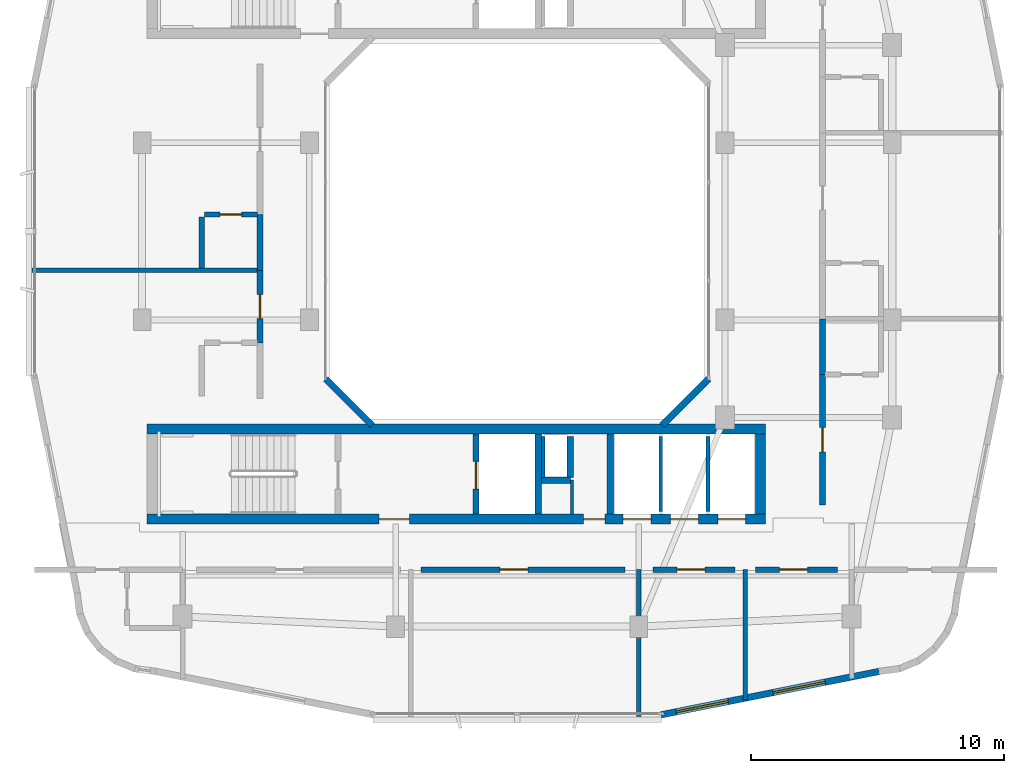
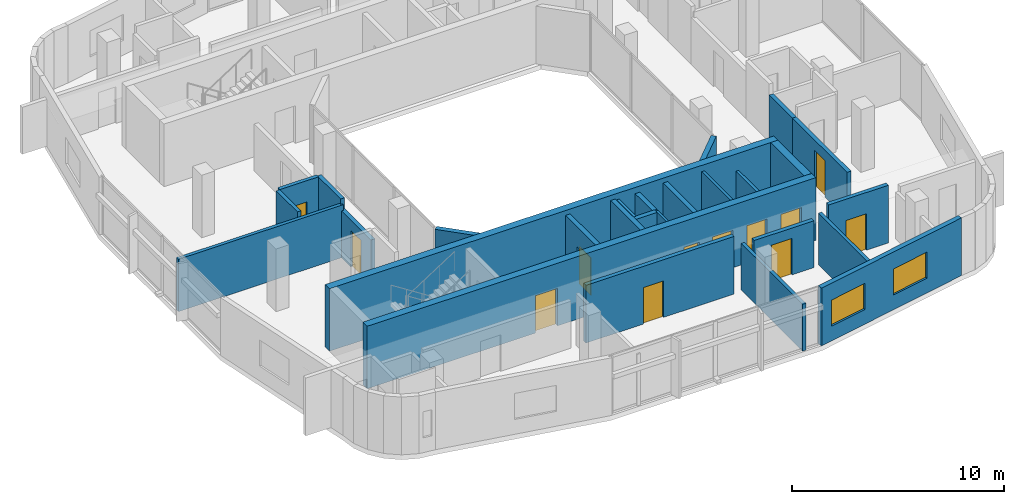
# One storey, part 7 of 14: 27 walls, 12 doors, 2 windows, 14 openings.
"""IFC4 building model written with IfcOpenShell, lengths in metres."""

from ifc_helpers import new_model, si_unit, derived_unit, direction, frame, frame_2d, origin, place, context, subcontext, project, spatial, rectangle, extrude, material, layer, layer_set, type_object, element, fill, save


model = new_model("IFC4")

# Units and contexts
model_context = context("Model", 3, precision=1e-05, world=origin(), true_north=direction((0.0, 1.0)))
body_context = subcontext(model_context, "Body", "Model", "MODEL_VIEW")
ifc_project = project(units=[si_unit("LENGTHUNIT", "METRE"), si_unit("AREAUNIT", "SQUARE_METRE"), si_unit("VOLUMEUNIT", "CUBIC_METRE"), si_unit("PLANEANGLEUNIT", "RADIAN"), si_unit("MASSUNIT", "GRAM", prefix="KILO"), derived_unit("THERMALTRANSMITTANCEUNIT", [(si_unit("POWERUNIT", "WATT"), 1), (si_unit("LENGTHUNIT", "METRE"), -2), (si_unit("THERMODYNAMICTEMPERATUREUNIT", "KELVIN"), -1)])], contexts=[model_context])

# Site, building, storey
site_placement = place(None, origin())
site = spatial("IfcSite", under=ifc_project, at=site_placement, CompositionType="ELEMENT")
building_placement = place(site_placement, origin())
building = spatial("IfcBuilding", under=site, at=building_placement, Name="Kivonza Crest Hotel", CompositionType="ELEMENT")
storey_placement = place(building_placement, frame((0.0, 0.0, 213.5)))
storey = spatial("IfcBuildingStorey", under=building, at=storey_placement, Name="L58", CompositionType="ELEMENT", Elevation=213.5)

# Walls
ifc_material_1 = material(Name="High-density acoustic masonry inter-tenancy wall", Category="masonry")
ifc_layer_1 = layer(ifc_material_1, 0.179931640625)
ifc_layer_set_1 = layer_set([ifc_layer_1], Name="High-density acoustic masonry inter-tenancy wall")
wall_type_1 = type_object("IfcWallType", Name="WL-ACOU-180", PredefinedType="SOLIDWALL", material=ifc_layer_set_1)
wall_1_placement = place(storey_placement, frame((25.800048828125, 5.860107421875, 0.0), z_axis=(0.0, 0.0, 1.0), x_axis=(0.0, 1.0, 0.0)))
element("IfcWall", 1, at=wall_1_placement, inside=storey, type_object=wall_type_1, Name="L58 interior partition WA-L58-T1S-DIV2", PredefinedType="SOLIDWALL", context=body_context, shape_type="SweptSolid", body=[
    extrude(rectangle(XDim=5.789794921875, YDim=0.179931640625, at=frame_2d((2.89501953125, 0.0))), origin(), (0.0, 0.0, 1.0), 2.695068359375),
])
wall_2_placement = place(storey_placement, frame((30.0, 6.506103515625, 0.0), z_axis=(0.0, 0.0, 1.0), x_axis=(0.0, 1.0, 0.0)))
element("IfcWall", 2, at=wall_2_placement, inside=storey, type_object=wall_type_1, Name="L58 interior partition WA-L58-T1S-SPDIV2", PredefinedType="SOLIDWALL", context=body_context, shape_type="SweptSolid", body=[
    extrude(rectangle(XDim=5.143798828125, YDim=0.179931640625, at=frame_2d((2.57177734375, 0.0))), origin(), (0.0, 0.0, 1.0), 2.965087890625),
])
wall_3_placement = place(storey_placement, frame((1.860107421875, 23.4599609375, 0.0), z_axis=(0.0, 0.0, 1.0), x_axis=(1.0, 0.0, 0.0)))
element("IfcWall", 3, at=wall_3_placement, inside=storey, type_object=wall_type_1, Name="L58 interior partition WA-L58-T1W-DIV1", PredefinedType="SOLIDWALL", context=body_context, shape_type="SweptSolid", body=[
    extrude(rectangle(XDim=8.989990234375, YDim=0.179931640625, at=frame_2d((4.4951171875, 0.0))), origin(), (0.0, 0.0, 1.0), 3.014892578125),
])

# Wall, opening, door
ifc_material_2 = material(Name="Autoclaved aerated concrete blockwork", Category="masonry")
ifc_layer_2 = layer(ifc_material_2, 0.219970703125)
ifc_layer_set_2 = layer_set([ifc_layer_2], Name="Autoclaved aerated concrete blockwork")
wall_type_2 = type_object("IfcWallType", Name="WL-ACOU-220", PredefinedType="SOLIDWALL", material=ifc_layer_set_2)
wall_4_placement = place(storey_placement, frame((17.199951171875, 11.64990234375, 0.0), z_axis=(0.0, 0.0, 1.0), x_axis=(1.0, 0.0, 0.0)))
wall_4 = element("IfcWall", 4, at=wall_4_placement, inside=storey, type_object=wall_type_2, Name="L58 interior partition WA-L58-Z4-SKIT1B-N", PredefinedType="SOLIDWALL", context=body_context, shape_type="SweptSolid", body=[
    extrude(rectangle(XDim=8.050048828125, YDim=0.219970703125, at=frame_2d((4.02490234375, 0.0))), origin(), (0.0, 0.0, 1.0), 3.320068359375),
])
opening_1_placement = place(wall_4_placement, frame((3.117919921875, 0.0, 0.0)))
opening_1 = element("IfcOpeningElement", 5, at=opening_1_placement, cuts=wall_4, Name="Opening DF-60M", PredefinedType="OPENING", context=body_context, shape_type="SweptSolid", body=[
    extrude(rectangle(XDim=1.10009765625, YDim=2.10009765625, at=frame_2d((0.550048828125, 1.050048828125))), frame((0.0, 0.1201171875, 0.0), z_axis=(0.0, -1.0, 0.0), x_axis=(1.0, 0.0, 0.0)), (0.0, 0.0, 1.0), 0.239990234375),
])
ifc_material_3 = material(Name="Hardwood timber oak", Category="wood")
door_type_1 = type_object("IfcDoorType", Name="DR-FD60-1100", OperationType="NOTDEFINED", PredefinedType="DOOR", material=ifc_material_3)
door_1_placement = place(opening_1_placement, frame((1.10009765625, 0.0, 0.0), z_axis=(0.0, 0.0, 1.0), x_axis=(-1.0, 0.0, 0.0)))
door_1 = element("IfcDoor", 6, at=door_1_placement, inside=storey, type_object=door_type_1, Name="L58 Upper Zone Beverage Tasting Kitchen door", OperationType="SINGLE_SWING_LEFT", OverallHeight=2.10009765625, OverallWidth=1.10009765625, PredefinedType="DOOR", context=body_context, shape_type="SweptSolid", body=[
    extrude(rectangle(XDim=1.10009765625, YDim=2.10009765625, at=frame_2d((0.550048828125, 1.050048828125))), frame((0.0, 0.02490234375, 0.0), z_axis=(0.0, -1.0, 0.0), x_axis=(1.0, 0.0, 0.0)), (0.0, 0.0, 1.0), 0.050048828125),
])
fill(opening_1, door_1)

wall_5_placement = place(storey_placement, frame((26.35009765625, 11.64990234375, 0.0), z_axis=(0.0, 0.0, 1.0), x_axis=(1.0, 0.0, 0.0)))
wall_5 = element("IfcWall", 7, at=wall_5_placement, inside=storey, type_object=wall_type_2, Name="L58 interior partition WA-L58-Z4-SKIT2A-N", PredefinedType="SOLIDWALL", context=body_context, shape_type="SweptSolid", body=[
    extrude(rectangle(XDim=3.25, YDim=0.219970703125, at=frame_2d((1.625, 0.0))), origin(), (0.0, 0.0, 1.0), 2.695068359375),
])
opening_2_placement = place(wall_5_placement, frame((0.95703125, 0.0, 0.0)))
opening_2 = element("IfcOpeningElement", 8, at=opening_2_placement, cuts=wall_5, Name="Opening DF-60M", PredefinedType="OPENING", context=body_context, shape_type="SweptSolid", body=[
    extrude(rectangle(XDim=1.10009765625, YDim=2.10009765625, at=frame_2d((0.550048828125, 1.050048828125))), frame((0.0, 0.1201171875, 0.0), z_axis=(0.0, -1.0, 0.0), x_axis=(1.0, 0.0, 0.0)), (0.0, 0.0, 1.0), 0.239990234375),
])
door_2_placement = place(opening_2_placement, frame((1.10009765625, 0.0, 0.0), z_axis=(0.0, 0.0, 1.0), x_axis=(-1.0, 0.0, 0.0)))
door_2 = element("IfcDoor", 9, at=door_2_placement, inside=storey, type_object=door_type_1, Name="L58 Upper Zone Chef Demonstration Kitchen door", OperationType="SINGLE_SWING_RIGHT", OverallHeight=2.10009765625, OverallWidth=1.10009765625, PredefinedType="DOOR", context=body_context, shape_type="SweptSolid", body=[
    extrude(rectangle(XDim=1.10009765625, YDim=2.10009765625, at=frame_2d((0.550048828125, 1.050048828125))), frame((0.0, 0.02490234375, 0.0), z_axis=(0.0, -1.0, 0.0), x_axis=(1.0, 0.0, 0.0)), (0.0, 0.0, 1.0), 0.050048828125),
])
fill(opening_2, door_2)

wall_6_placement = place(storey_placement, frame((30.39990234375, 11.64990234375, 0.0), z_axis=(0.0, 0.0, 1.0), x_axis=(1.0, 0.0, 0.0)))
wall_6 = element("IfcWall", 10, at=wall_6_placement, inside=storey, type_object=wall_type_2, Name="L58 interior partition WA-L58-Z4-SKIT2B-N", PredefinedType="SOLIDWALL", context=body_context, shape_type="SweptSolid", body=[
    extrude(rectangle(XDim=3.25, YDim=0.219970703125, at=frame_2d((1.625, 0.0))), origin(), (0.0, 0.0, 1.0), 3.320068359375),
])
opening_3_placement = place(wall_6_placement, frame((0.95703125, 0.0, 0.0)))
opening_3 = element("IfcOpeningElement", 11, at=opening_3_placement, cuts=wall_6, Name="Opening DF-60M", PredefinedType="OPENING", context=body_context, shape_type="SweptSolid", body=[
    extrude(rectangle(XDim=1.10009765625, YDim=2.10009765625, at=frame_2d((0.550048828125, 1.050048828125))), frame((0.0, 0.1201171875, 0.0), z_axis=(0.0, -1.0, 0.0), x_axis=(1.0, 0.0, 0.0)), (0.0, 0.0, 1.0), 0.239990234375),
])
door_3_placement = place(opening_3_placement, frame((1.10009765625, 0.0, 0.0), z_axis=(0.0, 0.0, 1.0), x_axis=(-1.0, 0.0, 0.0)))
door_3 = element("IfcDoor", 12, at=door_3_placement, inside=storey, type_object=door_type_1, Name="L58 Upper Zone Beverage Tasting Kitchen door", OperationType="SINGLE_SWING_LEFT", OverallHeight=2.10009765625, OverallWidth=1.10009765625, PredefinedType="DOOR", context=body_context, shape_type="SweptSolid", body=[
    extrude(rectangle(XDim=1.10009765625, YDim=2.10009765625, at=frame_2d((0.550048828125, 1.050048828125))), frame((0.0, 0.02490234375, 0.0), z_axis=(0.0, -1.0, 0.0), x_axis=(1.0, 0.0, 0.0)), (0.0, 0.0, 1.0), 0.050048828125),
])
fill(opening_3, door_3)

wall_7_placement = place(storey_placement, frame((10.85009765625, 20.60009765625, 0.0), z_axis=(0.0, 0.0, 1.0), x_axis=(0.0, 1.0, 0.0)))
wall_7 = element("IfcWall", 13, at=wall_7_placement, inside=storey, type_object=wall_type_2, Name="L58 interior partition WA-L58-W03-MCORR", PredefinedType="SOLIDWALL", context=body_context, shape_type="SweptSolid", body=[
    extrude(rectangle(XDim=2.85986328125, YDim=0.219970703125, at=frame_2d((1.429931640625, 0.0))), origin(), (0.0, 0.0, 1.0), 2.695068359375),
])
opening_4_placement = place(wall_7_placement, frame((0.955078125, 0.0, 0.0)))
opening_4 = element("IfcOpeningElement", 14, at=opening_4_placement, cuts=wall_7, Name="Opening DU-60", PredefinedType="OPENING", context=body_context, shape_type="SweptSolid", body=[
    extrude(rectangle(XDim=0.949951171875, YDim=2.10009765625, at=frame_2d((0.47509765625, 1.050048828125))), frame((0.0, 0.1201171875, 0.0), z_axis=(0.0, -1.0, 0.0), x_axis=(1.0, 0.0, 0.0)), (0.0, 0.0, 1.0), 0.239990234375),
])
door_type_2 = type_object("IfcDoorType", Name="DR-UNIT-950", OperationType="NOTDEFINED", PredefinedType="DOOR", material=ifc_material_3)
door_4_placement = place(opening_4_placement, origin())
door_4 = element("IfcDoor", 15, at=door_4_placement, inside=storey, type_object=door_type_2, Name="L58 W03 guest unit entrance fire door", OperationType="SINGLE_SWING_LEFT", OverallHeight=2.10009765625, OverallWidth=0.949951171875, PredefinedType="DOOR", context=body_context, shape_type="SweptSolid", body=[
    extrude(rectangle(XDim=0.949951171875, YDim=2.10009765625, at=frame_2d((0.47509765625, 1.050048828125))), frame((0.0, 0.02490234375, 0.0), z_axis=(0.0, -1.0, 0.0), x_axis=(1.0, 0.0, 0.0)), (0.0, 0.0, 1.0), 0.050048828125),
])
fill(opening_4, door_4)

# Walls
wall_8_placement = place(storey_placement, frame((10.85009765625, 23.4599609375, 0.0), z_axis=(0.0, 0.0, 1.0), x_axis=(0.0, 1.0, 0.0)))
element("IfcWall", 16, at=wall_8_placement, inside=storey, type_object=wall_type_2, Name="L58 interior partition WA-L58-W04-BCORR", PredefinedType="SOLIDWALL", context=body_context, shape_type="SweptSolid", body=[
    extrude(rectangle(XDim=2.199951171875, YDim=0.219970703125, at=frame_2d((1.10009765625, 0.0))), origin(), (0.0, 0.0, 1.0), 3.320068359375),
])
wall_9_placement = place(storey_placement, frame((33.050048828125, 19.343994140625, 0.0), z_axis=(0.0, 0.0, 1.0), x_axis=(0.0, 1.0, 0.0)))
element("IfcWall", 17, at=wall_9_placement, inside=storey, type_object=wall_type_2, Name="L58 interior partition WA-L58-E05-BCORR", PredefinedType="SOLIDWALL", context=body_context, shape_type="SweptSolid", body=[
    extrude(rectangle(XDim=2.199951171875, YDim=0.219970703125, at=frame_2d((1.10009765625, 0.0))), origin(), (0.0, 0.0, 1.0), 2.695068359375),
])

# Wall, opening, door
wall_10_placement = place(storey_placement, frame((33.050048828125, 14.199951171875, 0.0), z_axis=(0.0, 0.0, 1.0), x_axis=(0.0, 1.0, 0.0)))
wall_10 = element("IfcWall", 18, at=wall_10_placement, inside=storey, type_object=wall_type_2, Name="L58 interior partition WA-L58-E05-MCORR", PredefinedType="SOLIDWALL", context=body_context, shape_type="SweptSolid", body=[
    extrude(rectangle(XDim=5.14404296875, YDim=0.219970703125, at=frame_2d((2.572021484375, 0.0))), origin(), (0.0, 0.0, 1.0), 2.695068359375),
])
opening_5_placement = place(wall_10_placement, frame((2.096923828125, 0.0, 0.0)))
opening_5 = element("IfcOpeningElement", 19, at=opening_5_placement, cuts=wall_10, Name="Opening DU-60", PredefinedType="OPENING", context=body_context, shape_type="SweptSolid", body=[
    extrude(rectangle(XDim=0.949951171875, YDim=2.10009765625, at=frame_2d((0.47509765625, 1.050048828125))), frame((0.0, 0.1201171875, 0.0), z_axis=(0.0, -1.0, 0.0), x_axis=(1.0, 0.0, 0.0)), (0.0, 0.0, 1.0), 0.239990234375),
])
door_5_placement = place(opening_5_placement, frame((0.949951171875, 0.0, 0.0), z_axis=(0.0, 0.0, 1.0), x_axis=(-1.0, 0.0, 0.0)))
door_5 = element("IfcDoor", 20, at=door_5_placement, inside=storey, type_object=door_type_2, Name="L58 E05 guest unit entrance fire door", OperationType="SINGLE_SWING_LEFT", OverallHeight=2.10009765625, OverallWidth=0.949951171875, PredefinedType="DOOR", context=body_context, shape_type="SweptSolid", body=[
    extrude(rectangle(XDim=0.949951171875, YDim=2.10009765625, at=frame_2d((0.47509765625, 1.050048828125))), frame((0.0, 0.02490234375, 0.0), z_axis=(0.0, -1.0, 0.0), x_axis=(1.0, 0.0, 0.0)), (0.0, 0.0, 1.0), 0.050048828125),
])
fill(opening_5, door_5)

# Wall, openings, doors
ifc_material_4 = material(Name="Concrete C50/60", Category="concrete")
ifc_layer_3 = layer(ifc_material_4, 0.39990234375)
ifc_layer_set_3 = layer_set([ifc_layer_3], Name="Concrete C50/60")
wall_type_3 = type_object("IfcWallType", Name="WL-CORE-400", PredefinedType="SHEAR", material=ifc_layer_set_3)
wall_11_placement = place(storey_placement, frame((6.39990234375, 13.639892578125, 0.0), z_axis=(0.0, 0.0, 1.0), x_axis=(1.0, 0.0, 0.0)))
wall_11 = element("IfcWall", 21, at=wall_11_placement, inside=storey, type_object=wall_type_3, Name="Core wall T1-S South L58", PredefinedType="SHEAR", context=body_context, shape_type="SweptSolid", body=[
    extrude(rectangle(XDim=24.400146484375, YDim=0.39990234375, at=frame_2d((12.2001953125, 0.0))), origin(), (0.0, 0.0, 1.0), 3.60009765625),
])
opening_6_placement = place(wall_11_placement, frame((9.14990234375, 0.0, 0.0)))
opening_6 = element("IfcOpeningElement", 22, at=opening_6_placement, cuts=wall_11, Name="Opening DF-60", PredefinedType="OPENING", context=body_context, shape_type="SweptSolid", body=[
    extrude(rectangle(XDim=1.199951171875, YDim=2.14990234375, at=frame_2d((0.60009765625, 1.074951171875))), frame((0.0, 0.2099609375, 0.0), z_axis=(0.0, -1.0, 0.0), x_axis=(1.0, 0.0, 0.0)), (0.0, 0.0, 1.0), 0.419921875),
])
opening_7_placement = place(wall_11_placement, frame((17.219970703125, 0.0, 0.0)))
opening_7 = element("IfcOpeningElement", 23, at=opening_7_placement, cuts=wall_11, Name="Opening DF-60R", PredefinedType="OPENING", context=body_context, shape_type="SweptSolid", body=[
    extrude(rectangle(XDim=0.85009765625, YDim=2.10009765625, at=frame_2d((0.425048828125, 1.050048828125))), frame((0.0, 0.2099609375, 0.0), z_axis=(0.0, -1.0, 0.0), x_axis=(1.0, 0.0, 0.0)), (0.0, 0.0, 1.0), 0.419921875),
])
opening_8_placement = place(wall_11_placement, frame((18.782958984375, 0.0, 0.0)))
opening_8 = element("IfcOpeningElement", 24, at=opening_8_placement, cuts=wall_11, Name="Opening LD-120", PredefinedType="OPENING", context=body_context, shape_type="SweptSolid", body=[
    extrude(rectangle(XDim=1.10009765625, YDim=2.14990234375, at=frame_2d((0.550048828125, 1.074951171875))), frame((0.0, 0.2099609375, 0.0), z_axis=(0.0, -1.0, 0.0), x_axis=(1.0, 0.0, 0.0)), (0.0, 0.0, 1.0), 0.419921875),
])
opening_9_placement = place(wall_11_placement, frame((20.64990234375, 0.0, 0.0)))
opening_9 = element("IfcOpeningElement", 25, at=opening_9_placement, cuts=wall_11, Name="Opening LD-120", PredefinedType="OPENING", context=body_context, shape_type="SweptSolid", body=[
    extrude(rectangle(XDim=1.10009765625, YDim=2.14990234375, at=frame_2d((0.550048828125, 1.074951171875))), frame((0.0, 0.2099609375, 0.0), z_axis=(0.0, -1.0, 0.0), x_axis=(1.0, 0.0, 0.0)), (0.0, 0.0, 1.0), 0.419921875),
])
opening_10_placement = place(wall_11_placement, frame((22.51708984375, 0.0, 0.0)))
opening_10 = element("IfcOpeningElement", 26, at=opening_10_placement, cuts=wall_11, Name="Opening LD-120", PredefinedType="OPENING", context=body_context, shape_type="SweptSolid", body=[
    extrude(rectangle(XDim=1.10009765625, YDim=2.14990234375, at=frame_2d((0.550048828125, 1.074951171875))), frame((0.0, 0.2099609375, 0.0), z_axis=(0.0, -1.0, 0.0), x_axis=(1.0, 0.0, 0.0)), (0.0, 0.0, 1.0), 0.419921875),
])
door_type_3 = type_object("IfcDoorType", Name="DR-FD60-1200", OperationType="NOTDEFINED", PredefinedType="DOOR", material=ifc_material_3)
door_6_placement = place(opening_6_placement, frame((1.199951171875, 0.0, 0.0), z_axis=(0.0, 0.0, 1.0), x_axis=(-1.0, 0.0, 0.0)))
door_6 = element("IfcDoor", 27, at=door_6_placement, inside=storey, type_object=door_type_3, Name="L58 T1-S firefighting lobby fire door", OperationType="SINGLE_SWING_LEFT", OverallHeight=2.14990234375, OverallWidth=1.199951171875, PredefinedType="DOOR", context=body_context, shape_type="SweptSolid", body=[
    extrude(rectangle(XDim=1.199951171875, YDim=2.14990234375, at=frame_2d((0.60009765625, 1.074951171875))), frame((0.0, 0.02490234375, 0.0), z_axis=(0.0, -1.0, 0.0), x_axis=(1.0, 0.0, 0.0)), (0.0, 0.0, 1.0), 0.050048828125),
])
fill(opening_6, door_6)
door_type_4 = type_object("IfcDoorType", Name="DR-FD60-850", OperationType="NOTDEFINED", PredefinedType="DOOR", material=ifc_material_3)
door_7_placement = place(opening_7_placement, frame((0.85009765625, 0.0, 0.0), z_axis=(0.0, 0.0, 1.0), x_axis=(-1.0, 0.0, 0.0)))
door_7 = element("IfcDoor", 28, at=door_7_placement, inside=storey, type_object=door_type_4, Name="L58 T1-S core room door", OperationType="SINGLE_SWING_RIGHT", OverallHeight=2.10009765625, OverallWidth=0.85009765625, PredefinedType="DOOR", context=body_context, shape_type="SweptSolid", body=[
    extrude(rectangle(XDim=0.85009765625, YDim=2.10009765625, at=frame_2d((0.425048828125, 1.050048828125))), frame((0.0, 0.02490234375, 0.0), z_axis=(0.0, -1.0, 0.0), x_axis=(1.0, 0.0, 0.0)), (0.0, 0.0, 1.0), 0.050048828125),
])
fill(opening_7, door_7)
ifc_material_5 = material(Name="Stainless steel", Category="steel")
door_type_5 = type_object("IfcDoorType", Name="DR-LD120-1100", OperationType="NOTDEFINED", PredefinedType="DOOR", material=ifc_material_5)
door_8_placement = place(opening_8_placement, frame((1.10009765625, 0.0, 0.0), z_axis=(0.0, 0.0, 1.0), x_axis=(-1.0, 0.0, 0.0)))
door_8 = element("IfcDoor", 29, at=door_8_placement, inside=storey, type_object=door_type_5, Name="L58 PL-T1-H1 passenger lift sliding landing door", OperationType="DOUBLE_DOOR_SLIDING", OverallHeight=2.14990234375, OverallWidth=1.10009765625, PredefinedType="DOOR", context=body_context, shape_type="SweptSolid", body=[
    extrude(rectangle(XDim=1.10009765625, YDim=2.14990234375, at=frame_2d((0.550048828125, 1.074951171875))), frame((0.0, 0.02490234375, 0.0), z_axis=(0.0, -1.0, 0.0), x_axis=(1.0, 0.0, 0.0)), (0.0, 0.0, 1.0), 0.050048828125),
])
fill(opening_8, door_8)
door_9_placement = place(opening_9_placement, frame((1.10009765625, 0.0, 0.0), z_axis=(0.0, 0.0, 1.0), x_axis=(-1.0, 0.0, 0.0)))
door_9 = element("IfcDoor", 30, at=door_9_placement, inside=storey, type_object=door_type_5, Name="L58 PL-T1-H2 passenger lift sliding landing door", OperationType="DOUBLE_DOOR_SLIDING", OverallHeight=2.14990234375, OverallWidth=1.10009765625, PredefinedType="DOOR", context=body_context, shape_type="SweptSolid", body=[
    extrude(rectangle(XDim=1.10009765625, YDim=2.14990234375, at=frame_2d((0.550048828125, 1.074951171875))), frame((0.0, 0.02490234375, 0.0), z_axis=(0.0, -1.0, 0.0), x_axis=(1.0, 0.0, 0.0)), (0.0, 0.0, 1.0), 0.050048828125),
])
fill(opening_9, door_9)
door_10_placement = place(opening_10_placement, frame((1.10009765625, 0.0, 0.0), z_axis=(0.0, 0.0, 1.0), x_axis=(-1.0, 0.0, 0.0)))
door_10 = element("IfcDoor", 31, at=door_10_placement, inside=storey, type_object=door_type_5, Name="L58 PL-T1-H3 passenger lift sliding landing door", OperationType="DOUBLE_DOOR_SLIDING", OverallHeight=2.14990234375, OverallWidth=1.10009765625, PredefinedType="DOOR", context=body_context, shape_type="SweptSolid", body=[
    extrude(rectangle(XDim=1.10009765625, YDim=2.14990234375, at=frame_2d((0.550048828125, 1.074951171875))), frame((0.0, 0.02490234375, 0.0), z_axis=(0.0, -1.0, 0.0), x_axis=(1.0, 0.0, 0.0)), (0.0, 0.0, 1.0), 0.050048828125),
])
fill(opening_10, door_10)

# Walls
wall_12_placement = place(storey_placement, frame((6.39990234375, 17.199951171875, 0.0), z_axis=(0.0, 0.0, 1.0), x_axis=(1.0, 0.0, 0.0)))
element("IfcWall", 32, at=wall_12_placement, inside=storey, type_object=wall_type_3, Name="Core wall T1-S North L58", PredefinedType="SHEAR", context=body_context, shape_type="SweptSolid", body=[
    extrude(rectangle(XDim=24.400146484375, YDim=0.39990234375, at=frame_2d((12.2001953125, 0.0))), origin(), (0.0, 0.0, 1.0), 3.60009765625),
])
wall_13_placement = place(storey_placement, frame((30.60009765625, 13.840087890625, 0.0), z_axis=(0.0, 0.0, 1.0), x_axis=(0.0, 1.0, 0.0)))
element("IfcWall", 33, at=wall_13_placement, inside=storey, type_object=wall_type_3, Name="Core wall T1-S East L58", PredefinedType="SHEAR", context=body_context, shape_type="SweptSolid", body=[
    extrude(rectangle(XDim=3.159912109375, YDim=0.39990234375, at=frame_2d((1.580078125, 0.0))), origin(), (0.0, 0.0, 1.0), 3.60009765625),
])

# Wall, openings, windows
ifc_material_6 = material(Name="Precast concrete C40/50", Category="concrete")
ifc_layer_4 = layer(ifc_material_6, 0.260009765625)
ifc_layer_set_4 = layer_set([ifc_layer_4], Name="Precast concrete C40/50")
wall_type_4 = type_object("IfcWallType", Name="WL-EXT-260", PredefinedType="STANDARD", material=ifc_layer_set_4)
wall_14_placement = place(storey_placement, frame((26.680908203125, 5.916015625, 0.0), z_axis=(0.0, 0.0, 1.0), x_axis=(0.980745199176, 0.195291715883, 0.0)))
wall_14 = element("IfcWall", 34, at=wall_14_placement, inside=storey, type_object=wall_type_4, Name="L58 T1 exterior insulated wall 9", PredefinedType="STANDARD", context=body_context, shape_type="SweptSolid", body=[
    extrude(rectangle(XDim=8.77099609375, YDim=0.260009765625, at=frame_2d((4.385498046875, 0.0))), origin(), (0.0, 0.0, 1.0), 3.320068359375),
])
opening_11_placement = place(wall_14_placement, frame((0.60498046875, 0.0, 0.85009765625)))
opening_11 = element("IfcOpeningElement", 35, at=opening_11_placement, cuts=wall_14, Name="Opening WN-04", PredefinedType="OPENING", context=body_context, shape_type="SweptSolid", body=[
    extrude(rectangle(XDim=2.10009765625, YDim=1.5, at=frame_2d((1.050048828125, 0.75))), frame((0.0, 0.14013671875, 0.0), z_axis=(0.0, -1.0, 0.0), x_axis=(1.0, 0.0, 0.0)), (0.0, 0.0, 1.0), 0.280029296875),
])
opening_12_placement = place(wall_14_placement, frame((4.5, 0.0, 0.85009765625)))
opening_12 = element("IfcOpeningElement", 36, at=opening_12_placement, cuts=wall_14, Name="Opening WN-04", PredefinedType="OPENING", context=body_context, shape_type="SweptSolid", body=[
    extrude(rectangle(XDim=2.10009765625, YDim=1.5, at=frame_2d((1.050048828125, 0.75))), frame((0.0, 0.14013671875, 0.0), z_axis=(0.0, -1.0, 0.0), x_axis=(1.0, 0.0, 0.0)), (0.0, 0.0, 1.0), 0.280029296875),
])
ifc_material_7 = material(Name="Thermally broken bronze aluminium and low-E double glazing", Category="aluminium")
window_type = type_object("IfcWindowType", Name="WN-210x150", PartitioningType="DOUBLE_PANEL_VERTICAL", PredefinedType="WINDOW", material=ifc_material_7)
window_1_placement = place(opening_11_placement, origin())
window_1 = element("IfcWindow", 37, at=window_1_placement, inside=storey, type_object=window_type, Name="L58 T1 facade window 9 bay 1", OverallHeight=1.5, OverallWidth=2.10009765625, PartitioningType="SINGLE_PANEL", PredefinedType="WINDOW", context=body_context, shape_type="SweptSolid", body=[
    extrude(rectangle(XDim=2.10009765625, YDim=1.5, at=frame_2d((1.050048828125, 0.75))), frame((0.0, 0.030029296875, 0.0), z_axis=(0.0, -1.0, 0.0), x_axis=(1.0, 0.0, 0.0)), (0.0, 0.0, 1.0), 0.06005859375),
])
fill(opening_11, window_1)
window_2_placement = place(opening_12_placement, origin())
window_2 = element("IfcWindow", 38, at=window_2_placement, inside=storey, type_object=window_type, Name="L58 T1 facade window 9 bay 2", OverallHeight=1.5, OverallWidth=2.10009765625, PartitioningType="SINGLE_PANEL", PredefinedType="WINDOW", context=body_context, shape_type="SweptSolid", body=[
    extrude(rectangle(XDim=2.10009765625, YDim=1.5, at=frame_2d((1.050048828125, 0.75))), frame((0.0, 0.030029296875, 0.0), z_axis=(0.0, -1.0, 0.0), x_axis=(1.0, 0.0, 0.0)), (0.0, 0.0, 1.0), 0.06005859375),
])
fill(opening_12, window_2)

# Walls
for number, where, z_axis, x_axis, name in (
    (39, (26.721923828125, 17.337890625, 0.0), (0.0, 0.0, 1.0), (0.707059717605, 0.707153841636, 0.0), "L58 T1 light-well exterior wall 2"),
    (40, (13.444091796875, 19.172119140625, 0.0), (0.0, 0.0, 1.0), (0.707059717605, -0.707153841636, 0.0), "L58 T1 light-well exterior wall 8"),
):
    element("IfcWall", number, at=place(storey_placement, frame(where, z_axis=z_axis, x_axis=x_axis)), inside=storey, type_object=wall_type_4, Name=name, PredefinedType="STANDARD", context=body_context, shape_type="SweptSolid", body=[
        extrude(rectangle(XDim=2.59375, YDim=0.260009765625, at=frame_2d((1.296875, 0.0))), origin(), (0.0, 0.0, 1.0), 3.320068359375),
    ])
ifc_material_8 = material(Name="Concrete blockwork fire-compartment wall", Category="masonry")
ifc_layer_5 = layer(ifc_material_8, 0.25)
ifc_layer_set_5 = layer_set([ifc_layer_5], Name="Concrete blockwork fire-compartment wall")
wall_type_5 = type_object("IfcWallType", Name="WL-FIRE-250", PredefinedType="SOLIDWALL", material=ifc_layer_set_5)
wall_15_placement = place(storey_placement, frame((23.10009765625, 15.280029296875, 0.0), z_axis=(0.0, 0.0, 1.0), x_axis=(0.0, 1.0, 0.0)))
element("IfcWall", 41, at=wall_15_placement, inside=storey, type_object=wall_type_5, Name="L58 interior partition WA-L58-T1-S-MEPR-E", PredefinedType="SOLIDWALL", context=body_context, shape_type="SweptSolid", body=[
    extrude(rectangle(XDim=1.619873046875, YDim=0.25, at=frame_2d((0.81005859375, 0.0))), origin(), (0.0, 0.0, 1.0), 3.320068359375),
])
wall_16_placement = place(storey_placement, frame((21.949951171875, 15.179931640625, 0.0), z_axis=(0.0, 0.0, 1.0), x_axis=(1.0, 0.0, 0.0)))
element("IfcWall", 42, at=wall_16_placement, inside=storey, type_object=wall_type_5, Name="L58 interior partition WA-L58-T1-S-MEPR-H", PredefinedType="SOLIDWALL", context=body_context, shape_type="SweptSolid", body=[
    extrude(rectangle(XDim=1.150146484375, YDim=0.25, at=frame_2d((0.5751953125, 0.0))), origin(), (0.0, 0.0, 1.0), 3.320068359375),
])
ifc_material_9 = material(Name="Metal-stud gypsum board partition", Category="gypsum")
ifc_layer_6 = layer(ifc_material_9, 0.125)
ifc_layer_set_6 = layer_set([ifc_layer_6], Name="Metal-stud gypsum board partition")
wall_type_6 = type_object("IfcWallType", Name="WL-PART-125", PredefinedType="PARTITIONING", material=ifc_layer_set_6)
wall_17_placement = place(storey_placement, frame((23.159912109375, 13.840087890625, 0.0), z_axis=(0.0, 0.0, 1.0), x_axis=(0.0, 1.0, 0.0)))
element("IfcWall", 43, at=wall_17_placement, inside=storey, type_object=wall_type_6, Name="L58 interior partition WP-L58-T1-S-SV1V", PredefinedType="PARTITIONING", context=body_context, shape_type="SweptSolid", body=[
    extrude(rectangle(XDim=1.33984375, YDim=0.125, at=frame_2d((0.669921875, 0.0))), origin(), (0.0, 0.0, 1.0), 3.320068359375),
])
ifc_material_10 = material(Name="Twin-stud acoustic gypsum board partition", Category="gypsum")
ifc_layer_7 = layer(ifc_material_10, 0.14990234375)
ifc_layer_set_7 = layer_set([ifc_layer_7], Name="Twin-stud acoustic gypsum board partition")
wall_type_7 = type_object("IfcWallType", Name="WL-PART-150", PredefinedType="PARTITIONING", material=ifc_layer_set_7)
wall_18_placement = place(storey_placement, frame((22.030029296875, 15.280029296875, 0.0), z_axis=(0.0, 0.0, 1.0), x_axis=(0.0, 1.0, 0.0)))
element("IfcWall", 44, at=wall_18_placement, inside=storey, type_object=wall_type_7, Name="L58 interior partition WA-L58-T1-S-MEPR-W", PredefinedType="PARTITIONING", context=body_context, shape_type="SweptSolid", body=[
    extrude(rectangle(XDim=1.619873046875, YDim=0.14990234375, at=frame_2d((0.81005859375, 0.0))), origin(), (0.0, 0.0, 1.0), 3.320068359375),
])
wall_19_placement = place(storey_placement, frame((26.6669921875, 13.93994140625, 0.0), z_axis=(0.0, 0.0, 1.0), x_axis=(0.0, 1.0, 0.0)))
element("IfcWall", 45, at=wall_19_placement, inside=storey, type_object=wall_type_7, Name="L58 interior partition WP-L58-T1-S-BSH-1", PredefinedType="PARTITIONING", context=body_context, shape_type="SweptSolid", body=[
    extrude(rectangle(XDim=2.9599609375, YDim=0.14990234375, at=frame_2d((1.47998046875, 0.0))), origin(), (0.0, 0.0, 1.0), 3.320068359375),
])
wall_20_placement = place(storey_placement, frame((28.532958984375, 13.93994140625, 0.0), z_axis=(0.0, 0.0, 1.0), x_axis=(0.0, 1.0, 0.0)))
element("IfcWall", 46, at=wall_20_placement, inside=storey, type_object=wall_type_7, Name="L58 interior partition WP-L58-T1-S-BSH-2", PredefinedType="PARTITIONING", context=body_context, shape_type="SweptSolid", body=[
    extrude(rectangle(XDim=2.9599609375, YDim=0.14990234375, at=frame_2d((1.47998046875, 0.0))), origin(), (0.0, 0.0, 1.0), 2.695068359375),
])

# Wall, opening, door
ifc_material_11 = material(Name="Moisture-resistant plumbing chase partition wall", Category="gypsum")
ifc_layer_8 = layer(ifc_material_11, 0.199951171875)
ifc_layer_set_8 = layer_set([ifc_layer_8], Name="Moisture-resistant plumbing chase partition wall")
wall_type_8 = type_object("IfcWallType", Name="WL-PLUMB-200", PredefinedType="PLUMBINGWALL", material=ifc_layer_set_8)
wall_21_placement = place(storey_placement, frame((8.64990234375, 25.659912109375, 0.0), z_axis=(0.0, 0.0, 1.0), x_axis=(1.0, 0.0, 0.0)))
wall_21 = element("IfcWall", 47, at=wall_21_placement, inside=storey, type_object=wall_type_8, Name="L58 interior partition WW-L58-W04-BH", PredefinedType="PLUMBINGWALL", context=body_context, shape_type="SweptSolid", body=[
    extrude(rectangle(XDim=2.10009765625, YDim=0.199951171875, at=frame_2d((1.050048828125, 0.0))), origin(), (0.0, 0.0, 1.0), 3.320068359375),
])
opening_13_placement = place(wall_21_placement, frame((0.625, 0.0, 0.0)))
opening_13 = element("IfcOpeningElement", 48, at=opening_13_placement, cuts=wall_21, Name="Opening DI-85", PredefinedType="OPENING", context=body_context, shape_type="SweptSolid", body=[
    extrude(rectangle(XDim=0.85009765625, YDim=2.10009765625, at=frame_2d((0.425048828125, 1.050048828125))), frame((0.0, 0.10986328125, 0.0), z_axis=(0.0, -1.0, 0.0), x_axis=(1.0, 0.0, 0.0)), (0.0, 0.0, 1.0), 0.219970703125),
])
door_type_6 = type_object("IfcDoorType", Name="DR-INT-850", OperationType="NOTDEFINED", PredefinedType="DOOR", material=ifc_material_3)
door_11_placement = place(opening_13_placement, origin())
door_11 = element("IfcDoor", 49, at=door_11_placement, inside=storey, type_object=door_type_6, Name="L58 W04 en-suite bathroom door", OperationType="SINGLE_SWING_LEFT", OverallHeight=2.10009765625, OverallWidth=0.85009765625, PredefinedType="DOOR", context=body_context, shape_type="SweptSolid", body=[
    extrude(rectangle(XDim=0.85009765625, YDim=2.10009765625, at=frame_2d((0.425048828125, 1.050048828125))), frame((0.0, 0.02490234375, 0.0), z_axis=(0.0, -1.0, 0.0), x_axis=(1.0, 0.0, 0.0)), (0.0, 0.0, 1.0), 0.050048828125),
])
fill(opening_13, door_11)

# Wall
wall_22_placement = place(storey_placement, frame((8.550048828125, 23.56005859375, 0.0), z_axis=(0.0, 0.0, 1.0), x_axis=(0.0, 1.0, 0.0)))
element("IfcWall", 50, at=wall_22_placement, inside=storey, type_object=wall_type_8, Name="L58 interior partition WW-L58-W04-BV", PredefinedType="PLUMBINGWALL", context=body_context, shape_type="SweptSolid", body=[
    extrude(rectangle(XDim=2.0, YDim=0.199951171875, at=frame_2d((1.0, 0.0))), origin(), (0.0, 0.0, 1.0), 3.320068359375),
])

# Wall, opening, door
ifc_layer_9 = layer(ifc_material_4, 0.25)
ifc_layer_set_9 = layer_set([ifc_layer_9], Name="Concrete C50/60")
wall_type_9 = type_object("IfcWallType", Name="WL-SHAFT-250", PredefinedType="STANDARD", material=ifc_layer_set_9)
wall_23_placement = place(storey_placement, frame((19.375, 13.840087890625, 0.0), z_axis=(0.0, 0.0, 1.0), x_axis=(0.0, 1.0, 0.0)))
wall_23 = element("IfcWall", 51, at=wall_23_placement, inside=storey, type_object=wall_type_9, Name="Core shaft wall T1-S FFL-W L58", PredefinedType="STANDARD", context=body_context, shape_type="SweptSolid", body=[
    extrude(rectangle(XDim=3.159912109375, YDim=0.25, at=frame_2d((1.580078125, 0.0))), origin(), (0.0, 0.0, 1.0), 3.320068359375),
])
opening_14_placement = place(wall_23_placement, frame((0.97998046875, 0.0, 0.0)))
opening_14 = element("IfcOpeningElement", 52, at=opening_14_placement, cuts=wall_23, Name="Opening LD-120", PredefinedType="OPENING", context=body_context, shape_type="SweptSolid", body=[
    extrude(rectangle(XDim=1.10009765625, YDim=2.14990234375, at=frame_2d((0.550048828125, 1.074951171875))), frame((0.0, 0.135009765625, 0.0), z_axis=(0.0, -1.0, 0.0), x_axis=(1.0, 0.0, 0.0)), (0.0, 0.0, 1.0), 0.27001953125),
])
door_12_placement = place(opening_14_placement, origin())
door_12 = element("IfcDoor", 53, at=door_12_placement, inside=storey, type_object=door_type_5, Name="L58 FFL-T1-S firefighting lift sliding landing door", OperationType="DOUBLE_DOOR_SLIDING", OverallHeight=2.14990234375, OverallWidth=1.10009765625, PredefinedType="DOOR", context=body_context, shape_type="SweptSolid", body=[
    extrude(rectangle(XDim=1.10009765625, YDim=2.14990234375, at=frame_2d((0.550048828125, 1.074951171875))), frame((0.0, 0.02490234375, 0.0), z_axis=(0.0, -1.0, 0.0), x_axis=(1.0, 0.0, 0.0)), (0.0, 0.0, 1.0), 0.050048828125),
])
fill(opening_14, door_12)

# Walls
for number, where, z_axis, x_axis, name in (
    (54, (21.824951171875, 13.840087890625, 0.0), (0.0, 0.0, 1.0), (0.0, 1.0, 0.0), "Core shaft wall T1-S FFL-E L58"),
    (55, (24.675048828125, 13.840087890625, 0.0), (0.0, 0.0, 1.0), (0.0, 1.0, 0.0), "Core shaft wall T1-S BANK-W L58"),
):
    element("IfcWall", number, at=place(storey_placement, frame(where, z_axis=z_axis, x_axis=x_axis)), inside=storey, type_object=wall_type_9, Name=name, PredefinedType="STANDARD", context=body_context, shape_type="SweptSolid", body=[
        extrude(rectangle(XDim=3.159912109375, YDim=0.25, at=frame_2d((1.580078125, 0.0))), origin(), (0.0, 0.0, 1.0), 3.320068359375),
    ])

save(model, "model.ifc")
